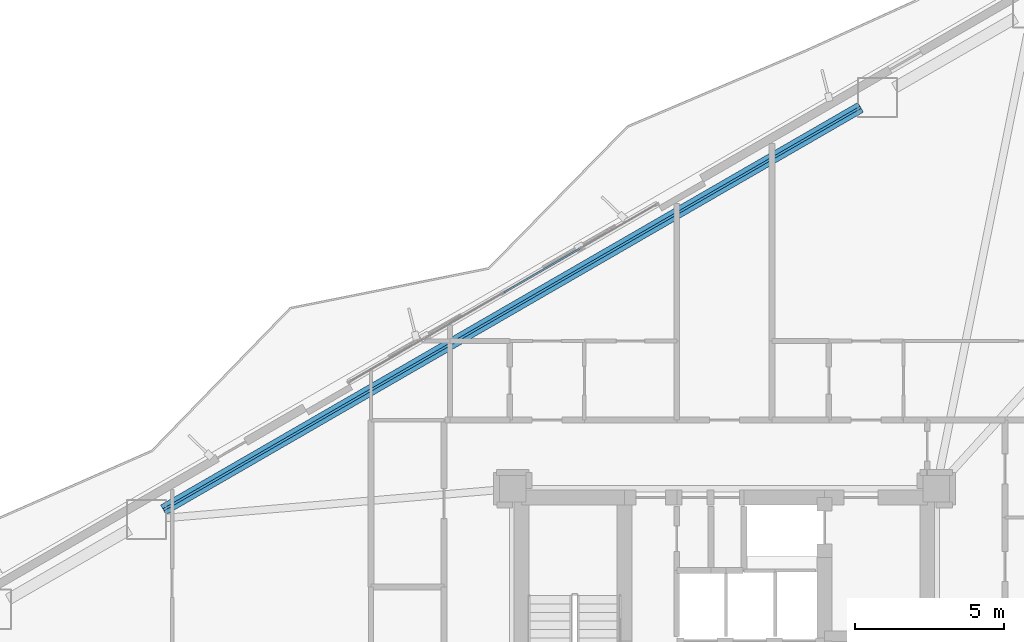
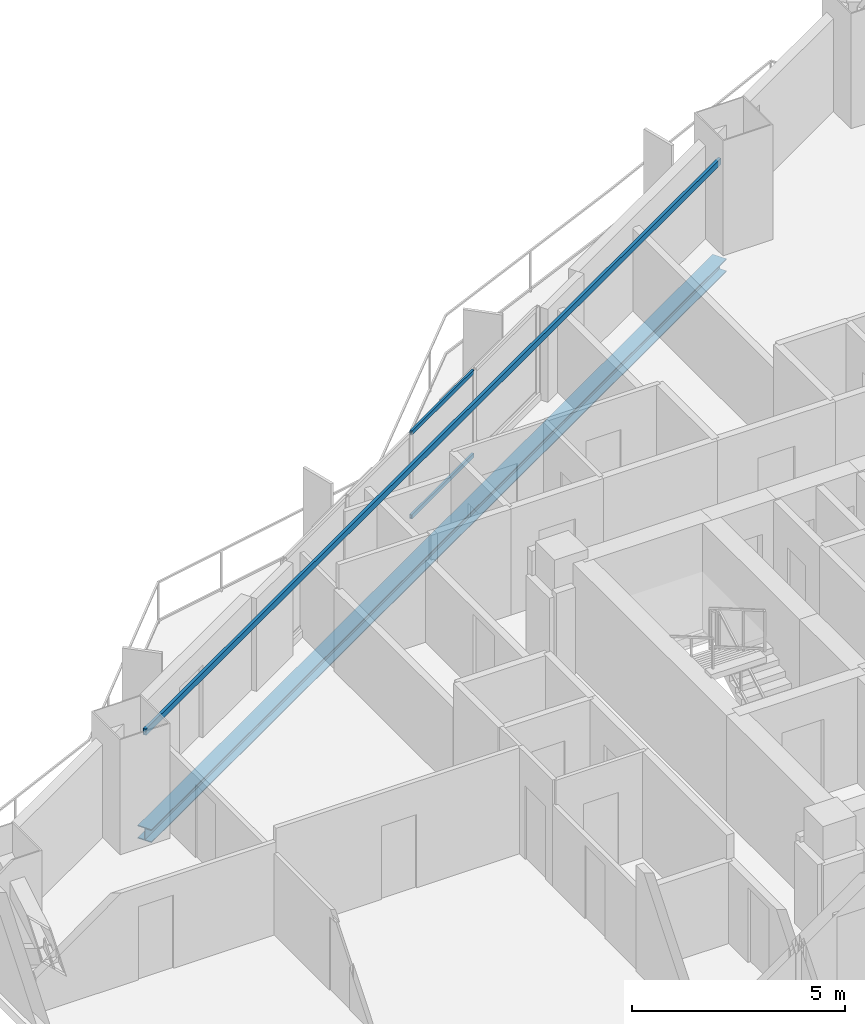
# One storey, part 8 of 19: 2 beams, 2 members, 1 element without a shape of its own.
"""IFC4 building model written with IfcOpenShell, lengths in metres."""

from ifc_helpers import new_model, si_unit, direction, frame, origin, origin_2d, place, context, subcontext, project, spatial, hollow_rectangle, i_section, extrude, material, layer, layer_set, material_profile, profile_set, type_object, element, aggregate, save


model = new_model("IFC4")

# Units and contexts
model_context = context("Model", 3, precision=1e-05, world=origin(), true_north=direction((0.0, 1.0)))
body_context = subcontext(model_context, "Body", "Model", "MODEL_VIEW")
ifc_project = project(units=[si_unit("LENGTHUNIT", "METRE"), si_unit("AREAUNIT", "SQUARE_METRE"), si_unit("VOLUMEUNIT", "CUBIC_METRE"), si_unit("PLANEANGLEUNIT", "RADIAN"), si_unit("MASSUNIT", "GRAM", prefix="KILO")], contexts=[model_context])

# Site, building, storey
site_placement = place(None, origin())
site = spatial("IfcSite", under=ifc_project, at=site_placement, CompositionType="ELEMENT")
building_placement = place(site_placement, origin())
building = spatial("IfcBuilding", under=site, at=building_placement, Name="Mersakhor Tower and Convention Hall", CompositionType="ELEMENT")
storey_placement = place(building_placement, frame((0.0, 0.0, 45.60009765625)))
storey = spatial("IfcBuildingStorey", under=building, at=storey_placement, Name="L12", CompositionType="ELEMENT", Elevation=45.60009765625)

# Beams
ifc_material_1 = material(Name="Steel S355", Category="steel")
ifc_material_profile_1 = material_profile(ifc_material_1, hollow_rectangle(XDim=0.080078125, YDim=0.179931640625, WallThickness=0.008056640625, at=origin_2d()), Name="RHS 180x80x8")
ifc_profile_set_1 = profile_set([ifc_material_profile_1], Name="Steel S355")
beam_type_1 = type_object("IfcBeamType", Name="BM-GRT-RHS180", PredefinedType="USERDEFINED", material=ifc_profile_set_1)
beam_1_placement = place(storey_placement, frame((10.183837890625, 32.341064453125, 2.47998046875), z_axis=(0.866025970279, 0.499999018801, 0.0), x_axis=(-0.499999018801, 0.866025970279, 0.0)))
element("IfcBeam", 1, at=beam_1_placement, inside=storey, type_object=beam_type_1, Name="L12 Facade Support Girt GRT-F1", ObjectType="GIRT", PredefinedType="USERDEFINED", context=body_context, shape_type="SweptSolid", body=[
    extrude(hollow_rectangle(XDim=0.080078125, YDim=0.179931640625, WallThickness=0.008056640625, at=origin_2d()), origin(), (0.0, 0.0, 1.0), 26.99951171875),
])
ifc_material_2 = material(Name="Steel S355", Category="steel")
ifc_material_profile_2 = material_profile(ifc_material_2, i_section(OverallWidth=0.374755859375, OverallDepth=0.37451171875, WebThickness=0.0166015625, FlangeThickness=0.027099609375, at=origin_2d()), Name="UC 356x368x202")
ifc_profile_set_2 = profile_set([ifc_material_profile_2], Name="Steel S355")
beam_type_2 = type_object("IfcBeamType", Name="BM-SPD-UC356", PredefinedType="SPANDREL", material=ifc_profile_set_2)
beam_2_placement = place(storey_placement, frame((10.183837890625, 32.341064453125, -0.447509765625), z_axis=(0.866025970279, 0.499999018801, 0.0), x_axis=(-0.499999018801, 0.866025970279, 0.0)))
element("IfcBeam", 2, at=beam_2_placement, inside=storey, type_object=beam_type_2, Name="L12 Perimeter Spandrel Beam SPB-02", PredefinedType="SPANDREL", context=body_context, shape_type="SweptSolid", body=[
    extrude(i_section(OverallWidth=0.374755859375, OverallDepth=0.37451171875, WebThickness=0.0166015625, FlangeThickness=0.027099609375, at=origin_2d()), origin(), (0.0, 0.0, 1.0), 26.99951171875),
])

# Curtain wall, members
ifc_material_3 = material(Name="Dark solar low-E aluminium curtain wall", Category="aluminium")
ifc_layer = layer(ifc_material_3, 0.159912109375)
ifc_layer_set = layer_set([ifc_layer], Name="Dark solar low-E aluminium curtain wall")
curtain_wall_type = type_object("IfcCurtainWallType", Name="CW-SYS-01", PredefinedType="USERDEFINED", material=ifc_layer_set)
curtain_wall_placement = place(storey_placement, origin())
curtain_wall = element("IfcCurtainWall", 3, at=curtain_wall_placement, inside=storey, type_object=curtain_wall_type, Name="L12 Dark-Glass Curtain Wall F1-B2", ObjectType="CURTAIN WALL", PredefinedType="USERDEFINED")
ifc_material_4 = material(Name="Anodised aluminium EN AW-6063 T6", Category="aluminium")
ifc_material_profile_3 = material_profile(ifc_material_4, hollow_rectangle(XDim=0.06005859375, YDim=0.1201171875, WallThickness=0.0048828125, at=origin_2d()), Name="RHS 120x60x5")
ifc_profile_set_3 = profile_set([ifc_material_profile_3], Name="Anodised aluminium EN AW-6063 T6")
member_type = type_object("IfcMemberType", Name="CWT-120x60", PredefinedType="USERDEFINED", material=ifc_profile_set_3)
member_1_placement = place(storey_placement, frame((21.607421875, 39.629150390625, 0.22998046875), z_axis=(0.866015622527, 0.500016941252, 0.0), x_axis=(-0.500016941252, 0.866015622527, 0.0)))
member_1 = element("IfcMember", 4, at=member_1_placement, type_object=member_type, Name="CW-01 transom 3.1", ObjectType="TRANSOM", PredefinedType="USERDEFINED", context=body_context, shape_type="SweptSolid", body=[
    extrude(hollow_rectangle(XDim=0.06005859375, YDim=0.1201171875, WallThickness=0.0048828125, at=origin_2d()), origin(), (0.0, 0.0, 1.0), 2.91845703125),
])
member_2_placement = place(storey_placement, frame((21.607421875, 39.629150390625, 2.6298828125), z_axis=(0.866015622527, 0.500016941252, 0.0), x_axis=(-0.500016941252, 0.866015622527, 0.0)))
member_2 = element("IfcMember", 5, at=member_2_placement, type_object=member_type, Name="CW-01 transom 3.2", ObjectType="TRANSOM", PredefinedType="USERDEFINED", context=body_context, shape_type="SweptSolid", body=[
    extrude(hollow_rectangle(XDim=0.06005859375, YDim=0.1201171875, WallThickness=0.0048828125, at=origin_2d()), origin(), (0.0, 0.0, 1.0), 2.91845703125),
])
aggregate(curtain_wall, [member_1, member_2])

save(model, "model.ifc")
